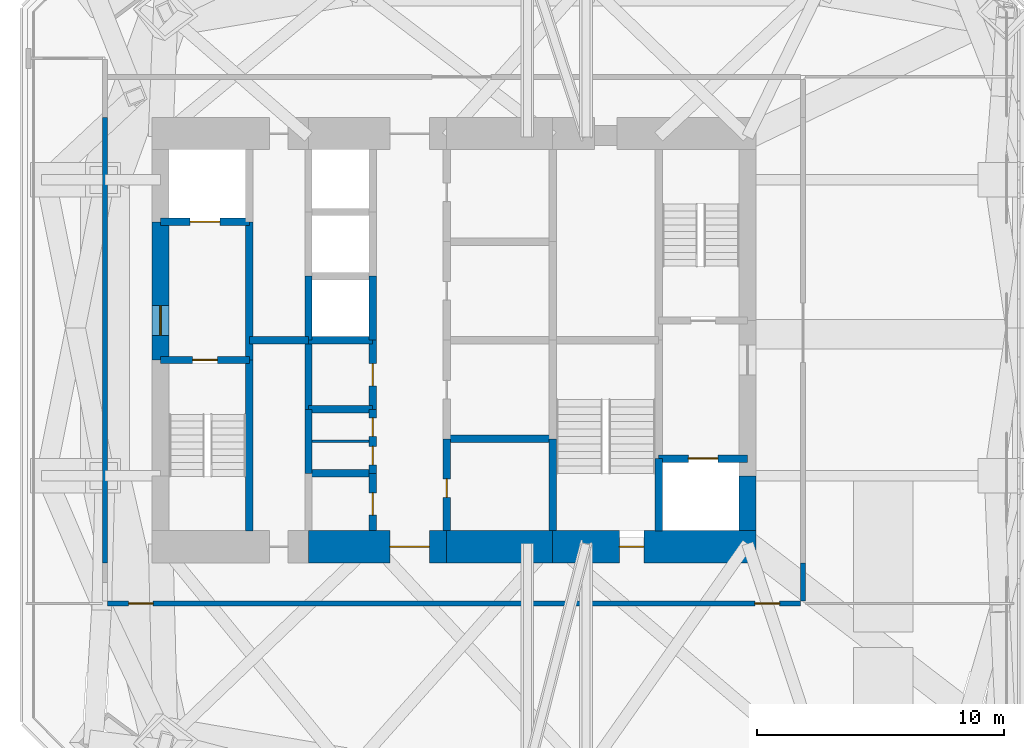
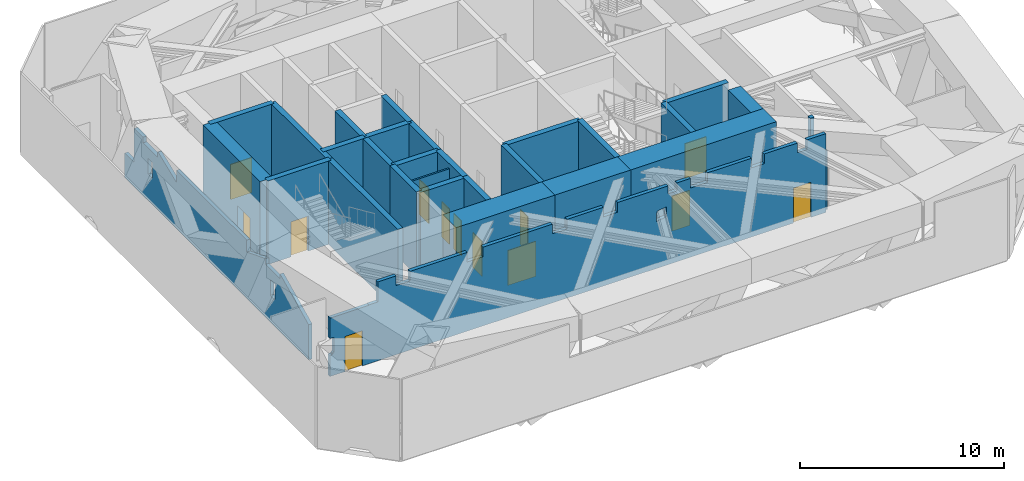
# One storey, part 4 of 9: 29 walls, 13 doors, 13 openings.
"""IFC4 building model written with IfcOpenShell, lengths in metres."""

from ifc_helpers import new_model, si_unit, direction, frame, frame_2d, origin, place, context, subcontext, project, spatial, polyline, rectangle, outline, extrude, material, layer, layer_set, constituent, constituent_set, type_object, element, fill, save


model = new_model("IFC4")

# Units and contexts
model_context = context("Model", 3, precision=1e-05, world=origin(), true_north=direction((0.0, 1.0)))
body_context = subcontext(model_context, "Body", "Model", "MODEL_VIEW")
ifc_project = project(units=[si_unit("LENGTHUNIT", "METRE"), si_unit("AREAUNIT", "SQUARE_METRE"), si_unit("VOLUMEUNIT", "CUBIC_METRE"), si_unit("PLANEANGLEUNIT", "RADIAN"), si_unit("MASSUNIT", "GRAM", prefix="KILO")], contexts=[model_context])

# Site, building, storey
site_placement = place(None, origin())
site = spatial("IfcSite", under=ifc_project, at=site_placement, CompositionType="ELEMENT")
building_placement = place(site_placement, origin())
building = spatial("IfcBuilding", under=site, at=building_placement, Name="Jalousie Tower", CompositionType="ELEMENT")
storey_placement = place(building_placement, frame((0.0, 0.0, 212.949951171875)))
storey = spatial("IfcBuildingStorey", under=building, at=storey_placement, Name="L58", CompositionType="ELEMENT", Elevation=212.949951171875)

# Wall, opening, door
ifc_material_1 = material(Name="Concrete f'c 120 MPa", Category="concrete")
ifc_layer_1 = layer(ifc_material_1, 1.300048828125)
ifc_layer_set_1 = layer_set([ifc_layer_1], Name="Concrete f'c 120 MPa")
wall_type_1 = type_object("IfcWallType", Name="CORE WALL 1300", PredefinedType="SHEAR", material=ifc_layer_set_1)
wall_1_placement = place(storey_placement, frame((26.0, 10.125, 0.0), z_axis=(0.0, 0.0, 1.0), x_axis=(1.0, 0.0, 0.0)))
wall_1 = element("IfcWall", 1, at=wall_1_placement, inside=storey, type_object=wall_type_1, Name="Core wall SB L58", PredefinedType="SHEAR", context=body_context, shape_type="SweptSolid", body=[
    extrude(rectangle(XDim=5.60009765625, YDim=1.300048828125, at=frame_2d((2.800048828125, 0.0))), origin(), (0.0, 0.0, 1.0), 5.0),
])
opening_1_placement = place(wall_1_placement, frame((3.300048828125, 0.0, 0.0)))
opening_1 = element("IfcOpeningElement", 2, at=opening_1_placement, cuts=wall_1, Name="Opening D15", PredefinedType="OPENING", context=body_context, shape_type="SweptSolid", body=[
    extrude(rectangle(XDim=1.60009765625, YDim=2.10009765625, at=frame_2d((0.800048828125, 1.050048828125))), frame((0.0, 0.659912109375, 0.0), z_axis=(0.0, -1.0, 0.0), x_axis=(1.0, 0.0, 0.0)), (0.0, 0.0, 1.0), 1.320068359375),
])
ifc_material_2 = material(Name="Steel fire door", Category="steel")
door_type_1 = type_object("IfcDoorType", Name="LIFT LOBBY DOOR 1600", OperationType="DOUBLE_DOOR_SINGLE_SWING", PredefinedType="DOOR", material=ifc_material_2)
door_1_placement = place(opening_1_placement, origin())
door_1 = element("IfcDoor", 3, at=door_1_placement, inside=storey, type_object=door_type_1, Name="Lift lobby south door", OperationType="DOUBLE_DOOR_SINGLE_SWING", OverallHeight=2.10009765625, OverallWidth=1.60009765625, PredefinedType="DOOR", context=body_context, shape_type="SweptSolid", body=[
    extrude(rectangle(XDim=1.60009765625, YDim=2.10009765625, at=frame_2d((0.800048828125, 1.050048828125))), frame((0.0, 0.02490234375, 0.0), z_axis=(0.0, -1.0, 0.0), x_axis=(1.0, 0.0, 0.0)), (0.0, 0.0, 1.0), 0.050048828125),
])
fill(opening_1, door_1)

# Wall
wall_2_placement = place(storey_placement, frame((31.60009765625, 10.125, 0.0), z_axis=(0.0, 0.0, 1.0), x_axis=(1.0, 0.0, 0.0)))
element("IfcWall", 4, at=wall_2_placement, inside=storey, type_object=wall_type_1, Name="Core wall SC L58", PredefinedType="SHEAR", context=body_context, shape_type="SweptSolid", body=[
    extrude(rectangle(XDim=4.2998046875, YDim=1.300048828125, at=frame_2d((2.14990234375, 0.0))), origin(), (0.0, 0.0, 1.0), 5.0),
])

# Wall, opening, door
wall_3_placement = place(storey_placement, frame((35.89990234375, 10.125, 0.0), z_axis=(0.0, 0.0, 1.0), x_axis=(1.0, 0.0, 0.0)))
wall_3 = element("IfcWall", 5, at=wall_3_placement, inside=storey, type_object=wall_type_1, Name="Core wall SD L58", PredefinedType="SHEAR", context=body_context, shape_type="SweptSolid", body=[
    extrude(rectangle(XDim=8.25, YDim=1.300048828125, at=frame_2d((4.125, 0.0))), origin(), (0.0, 0.0, 1.0), 5.0),
])
opening_2_placement = place(wall_3_placement, frame((2.699951171875, 0.0, 0.0)))
opening_2 = element("IfcOpeningElement", 6, at=opening_2_placement, cuts=wall_3, Name="Opening D10", PredefinedType="OPENING", context=body_context, shape_type="SweptSolid", body=[
    extrude(rectangle(XDim=1.0, YDim=2.10009765625, at=frame_2d((0.5, 1.050048828125))), frame((0.0, 0.659912109375, 0.0), z_axis=(0.0, -1.0, 0.0), x_axis=(1.0, 0.0, 0.0)), (0.0, 0.0, 1.0), 1.320068359375),
])
ifc_material_3 = material(Name="Steel fire door", Category="steel")
door_type_2 = type_object("IfcDoorType", Name="STAIR DOOR 1000", OperationType="SINGLE_SWING_LEFT", PredefinedType="DOOR", material=ifc_material_3)
door_2_placement = place(opening_2_placement, origin())
door_2 = element("IfcDoor", 7, at=door_2_placement, inside=storey, type_object=door_type_2, Name="Exit stair C door", OperationType="SINGLE_SWING_RIGHT", OverallHeight=2.10009765625, OverallWidth=1.0, PredefinedType="DOOR", context=body_context, shape_type="SweptSolid", body=[
    extrude(rectangle(XDim=1.0, YDim=2.10009765625, at=frame_2d((0.5, 1.050048828125))), frame((0.0, 0.02490234375, 0.0), z_axis=(0.0, -1.0, 0.0), x_axis=(1.0, 0.0, 0.0)), (0.0, 0.0, 1.0), 0.050048828125),
])
fill(opening_2, door_2)

# Walls
ifc_material_4 = material(Name="Concrete f'c 120 MPa", Category="concrete")
ifc_layer_2 = layer(ifc_material_4, 0.300048828125)
ifc_layer_set_2 = layer_set([ifc_layer_2], Name="Concrete f'c 120 MPa")
wall_type_2 = type_object("IfcWallType", Name="CORE WALL 300", PredefinedType="SHEAR", material=ifc_layer_set_2)
wall_4_placement = place(storey_placement, frame((23.60009765625, 10.77490234375, 0.0), z_axis=(0.0, 0.0, 1.0), x_axis=(0.0, 1.0, 0.0)))
element("IfcWall", 8, at=wall_4_placement, inside=storey, type_object=wall_type_2, Name="Core wall X23.6A L58", PredefinedType="SHEAR", context=body_context, shape_type="SweptSolid", body=[
    extrude(rectangle(XDim=6.925048828125, YDim=0.300048828125, at=frame_2d((3.46240234375, 0.0))), origin(), (0.0, 0.0, 1.0), 5.0),
])
wall_5_placement = place(storey_placement, frame((23.60009765625, 17.699951171875, 0.0), z_axis=(0.0, 0.0, 1.0), x_axis=(0.0, 1.0, 0.0)))
element("IfcWall", 9, at=wall_5_placement, inside=storey, type_object=wall_type_2, Name="Core wall X23.6B L58", PredefinedType="SHEAR", context=body_context, shape_type="SweptSolid", body=[
    extrude(rectangle(XDim=5.60009765625, YDim=0.300048828125, at=frame_2d((2.800048828125, 0.0))), origin(), (0.0, 0.0, 1.0), 5.0),
])
wall_6_placement = place(storey_placement, frame((26.0, 13.10009765625, 0.0), z_axis=(0.0, 0.0, 1.0), x_axis=(0.0, 1.0, 0.0)))
element("IfcWall", 10, at=wall_6_placement, inside=storey, type_object=wall_type_2, Name="Core wall X26B L58", PredefinedType="SHEAR", context=body_context, shape_type="SweptSolid", body=[
    extrude(rectangle(XDim=2.599853515625, YDim=0.300048828125, at=frame_2d((1.2998046875, 0.0))), origin(), (0.0, 0.0, 1.0), 5.0),
])
wall_7_placement = place(storey_placement, frame((26.0, 15.699951171875, 0.0), z_axis=(0.0, 0.0, 1.0), x_axis=(0.0, 1.0, 0.0)))
element("IfcWall", 11, at=wall_7_placement, inside=storey, type_object=wall_type_2, Name="Core wall X26C L58", PredefinedType="SHEAR", context=body_context, shape_type="SweptSolid", body=[
    extrude(rectangle(XDim=2.800048828125, YDim=0.300048828125, at=frame_2d((1.39990234375, 0.0))), origin(), (0.0, 0.0, 1.0), 5.0),
])
wall_8_placement = place(storey_placement, frame((26.0, 18.5, 0.0), z_axis=(0.0, 0.0, 1.0), x_axis=(0.0, 1.0, 0.0)))
element("IfcWall", 12, at=wall_8_placement, inside=storey, type_object=wall_type_2, Name="Core wall X26D L58", PredefinedType="SHEAR", context=body_context, shape_type="SweptSolid", body=[
    extrude(rectangle(XDim=2.60009765625, YDim=0.300048828125, at=frame_2d((1.300048828125, 0.0))), origin(), (0.0, 0.0, 1.0), 5.0),
])

# Wall, opening, door
wall_9_placement = place(storey_placement, frame((28.60009765625, 10.77490234375, 0.0), z_axis=(0.0, 0.0, 1.0), x_axis=(0.0, 1.0, 0.0)))
wall_9 = element("IfcWall", 13, at=wall_9_placement, inside=storey, type_object=wall_type_2, Name="Core wall X28.6A L58", PredefinedType="SHEAR", context=body_context, shape_type="SweptSolid", body=[
    extrude(rectangle(XDim=2.3251953125, YDim=0.300048828125, at=frame_2d((1.16259765625, 0.0))), origin(), (0.0, 0.0, 1.0), 5.0),
])
opening_3_placement = place(wall_9_placement, frame((0.637451171875, 0.0, 0.0)))
opening_3 = element("IfcOpeningElement", 14, at=opening_3_placement, cuts=wall_9, Name="Opening D24", PredefinedType="OPENING", context=body_context, shape_type="SweptSolid", body=[
    extrude(rectangle(XDim=0.89990234375, YDim=2.10009765625, at=frame_2d((0.449951171875, 1.050048828125))), frame((0.0, 0.159912109375, 0.0), z_axis=(0.0, -1.0, 0.0), x_axis=(1.0, 0.0, 0.0)), (0.0, 0.0, 1.0), 0.320068359375),
])
ifc_material_5 = material(Name="Steel fire door", Category="steel")
door_type_3 = type_object("IfcDoorType", Name="CORE ROOM DOOR 900", OperationType="SINGLE_SWING_LEFT", PredefinedType="DOOR", material=ifc_material_5)
door_3_placement = place(opening_3_placement, origin())
door_3 = element("IfcDoor", 15, at=door_3_placement, inside=storey, type_object=door_type_3, Name="Maintenance store door", OperationType="SINGLE_SWING_RIGHT", OverallHeight=2.10009765625, OverallWidth=0.89990234375, PredefinedType="DOOR", context=body_context, shape_type="SweptSolid", body=[
    extrude(rectangle(XDim=0.89990234375, YDim=2.10009765625, at=frame_2d((0.449951171875, 1.050048828125))), frame((0.0, 0.02490234375, 0.0), z_axis=(0.0, -1.0, 0.0), x_axis=(1.0, 0.0, 0.0)), (0.0, 0.0, 1.0), 0.050048828125),
])
fill(opening_3, door_3)

# Wall, openings, doors
wall_10_placement = place(storey_placement, frame((28.60009765625, 13.10009765625, 0.0), z_axis=(0.0, 0.0, 1.0), x_axis=(0.0, 1.0, 0.0)))
wall_10 = element("IfcWall", 16, at=wall_10_placement, inside=storey, type_object=wall_type_2, Name="Core wall X28.6B L58", PredefinedType="SHEAR", context=body_context, shape_type="SweptSolid", body=[
    extrude(rectangle(XDim=2.599853515625, YDim=0.300048828125, at=frame_2d((1.2998046875, 0.0))), origin(), (0.0, 0.0, 1.0), 5.0),
])
opening_4_placement = place(wall_10_placement, frame((0.35009765625, 0.0, 0.0)))
opening_4 = element("IfcOpeningElement", 17, at=opening_4_placement, cuts=wall_10, Name="Opening D27", PredefinedType="OPENING", context=body_context, shape_type="SweptSolid", body=[
    extrude(rectangle(XDim=0.75, YDim=2.10009765625, at=frame_2d((0.375, 1.050048828125))), frame((0.0, 0.159912109375, 0.0), z_axis=(0.0, -1.0, 0.0), x_axis=(1.0, 0.0, 0.0)), (0.0, 0.0, 1.0), 0.320068359375),
])
opening_5_placement = place(wall_10_placement, frame((1.5, 0.0, 0.0)))
opening_5 = element("IfcOpeningElement", 18, at=opening_5_placement, cuts=wall_10, Name="Opening D27", PredefinedType="OPENING", context=body_context, shape_type="SweptSolid", body=[
    extrude(rectangle(XDim=0.75, YDim=2.10009765625, at=frame_2d((0.375, 1.050048828125))), frame((0.0, 0.159912109375, 0.0), z_axis=(0.0, -1.0, 0.0), x_axis=(1.0, 0.0, 0.0)), (0.0, 0.0, 1.0), 0.320068359375),
])
ifc_material_6 = material(Name="Steel fire door", Category="steel")
door_type_4 = type_object("IfcDoorType", Name="CORE ROOM DOOR 750", OperationType="SINGLE_SWING_LEFT", PredefinedType="DOOR", material=ifc_material_6)
door_4_placement = place(opening_4_placement, origin())
door_4 = element("IfcDoor", 19, at=door_4_placement, inside=storey, type_object=door_type_4, Name="Plant spares store door", OperationType="SINGLE_SWING_RIGHT", OverallHeight=2.10009765625, OverallWidth=0.75, PredefinedType="DOOR", context=body_context, shape_type="SweptSolid", body=[
    extrude(rectangle(XDim=0.75, YDim=2.10009765625, at=frame_2d((0.375, 1.050048828125))), frame((0.0, 0.02490234375, 0.0), z_axis=(0.0, -1.0, 0.0), x_axis=(1.0, 0.0, 0.0)), (0.0, 0.0, 1.0), 0.050048828125),
])
fill(opening_4, door_4)
door_5_placement = place(opening_5_placement, origin())
door_5 = element("IfcDoor", 20, at=door_5_placement, inside=storey, type_object=door_type_4, Name="Store door", OperationType="SINGLE_SWING_LEFT", OverallHeight=2.10009765625, OverallWidth=0.75, PredefinedType="DOOR", context=body_context, shape_type="SweptSolid", body=[
    extrude(rectangle(XDim=0.75, YDim=2.10009765625, at=frame_2d((0.375, 1.050048828125))), frame((0.0, 0.02490234375, 0.0), z_axis=(0.0, -1.0, 0.0), x_axis=(1.0, 0.0, 0.0)), (0.0, 0.0, 1.0), 0.050048828125),
])
fill(opening_5, door_5)

# Wall, opening, door
wall_11_placement = place(storey_placement, frame((28.60009765625, 15.699951171875, 0.0), z_axis=(0.0, 0.0, 1.0), x_axis=(0.0, 1.0, 0.0)))
wall_11 = element("IfcWall", 21, at=wall_11_placement, inside=storey, type_object=wall_type_2, Name="Core wall X28.6C L58", PredefinedType="SHEAR", context=body_context, shape_type="SweptSolid", body=[
    extrude(rectangle(XDim=2.800048828125, YDim=0.300048828125, at=frame_2d((1.39990234375, 0.0))), origin(), (0.0, 0.0, 1.0), 5.0),
])
opening_6_placement = place(wall_11_placement, frame((0.949951171875, 0.0, 0.0)))
opening_6 = element("IfcOpeningElement", 22, at=opening_6_placement, cuts=wall_11, Name="Opening D24", PredefinedType="OPENING", context=body_context, shape_type="SweptSolid", body=[
    extrude(rectangle(XDim=0.89990234375, YDim=2.10009765625, at=frame_2d((0.449951171875, 1.050048828125))), frame((0.0, 0.159912109375, 0.0), z_axis=(0.0, -1.0, 0.0), x_axis=(1.0, 0.0, 0.0)), (0.0, 0.0, 1.0), 0.320068359375),
])
door_6_placement = place(opening_6_placement, origin())
door_6 = element("IfcDoor", 23, at=door_6_placement, inside=storey, type_object=door_type_3, Name="IT room door", OperationType="SINGLE_SWING_LEFT", OverallHeight=2.10009765625, OverallWidth=0.89990234375, PredefinedType="DOOR", context=body_context, shape_type="SweptSolid", body=[
    extrude(rectangle(XDim=0.89990234375, YDim=2.10009765625, at=frame_2d((0.449951171875, 1.050048828125))), frame((0.0, 0.02490234375, 0.0), z_axis=(0.0, -1.0, 0.0), x_axis=(1.0, 0.0, 0.0)), (0.0, 0.0, 1.0), 0.050048828125),
])
fill(opening_6, door_6)

# Wall
wall_12_placement = place(storey_placement, frame((28.60009765625, 18.5, 0.0), z_axis=(0.0, 0.0, 1.0), x_axis=(0.0, 1.0, 0.0)))
element("IfcWall", 24, at=wall_12_placement, inside=storey, type_object=wall_type_2, Name="Core wall X28.6D L58", PredefinedType="SHEAR", context=body_context, shape_type="SweptSolid", body=[
    extrude(rectangle(XDim=2.60009765625, YDim=0.300048828125, at=frame_2d((1.300048828125, 0.0))), origin(), (0.0, 0.0, 1.0), 5.0),
])

# Wall, opening, door
wall_13_placement = place(storey_placement, frame((31.60009765625, 10.77490234375, 0.0), z_axis=(0.0, 0.0, 1.0), x_axis=(0.0, 1.0, 0.0)))
wall_13 = element("IfcWall", 25, at=wall_13_placement, inside=storey, type_object=wall_type_2, Name="Core wall X31.6A L58", PredefinedType="SHEAR", context=body_context, shape_type="SweptSolid", body=[
    extrude(rectangle(XDim=3.72509765625, YDim=0.300048828125, at=frame_2d((1.862548828125, 0.0))), origin(), (0.0, 0.0, 1.0), 5.0),
])
opening_7_placement = place(wall_13_placement, frame((1.35009765625, 0.0, 0.0)))
opening_7 = element("IfcOpeningElement", 26, at=opening_7_placement, cuts=wall_13, Name="Opening D16", PredefinedType="OPENING", context=body_context, shape_type="SweptSolid", body=[
    extrude(rectangle(XDim=0.75, YDim=2.10009765625, at=frame_2d((0.375, 1.050048828125))), frame((0.0, 0.159912109375, 0.0), z_axis=(0.0, -1.0, 0.0), x_axis=(1.0, 0.0, 0.0)), (0.0, 0.0, 1.0), 0.320068359375),
])
ifc_material_7 = material(Name="Steel fire door", Category="steel")
door_type_5 = type_object("IfcDoorType", Name="RISER DOOR 750", OperationType="SINGLE_SWING_LEFT", PredefinedType="DOOR", material=ifc_material_7)
door_7_placement = place(opening_7_placement, frame((0.75, 0.0, 0.0), z_axis=(0.0, 0.0, 1.0), x_axis=(-1.0, 0.0, 0.0)))
door_7 = element("IfcDoor", 27, at=door_7_placement, inside=storey, type_object=door_type_5, Name="Refuse Room door", OperationType="SINGLE_SWING_RIGHT", OverallHeight=2.10009765625, OverallWidth=0.75, PredefinedType="DOOR", context=body_context, shape_type="SweptSolid", body=[
    extrude(rectangle(XDim=0.75, YDim=2.10009765625, at=frame_2d((0.375, 1.050048828125))), frame((0.0, 0.02490234375, 0.0), z_axis=(0.0, -1.0, 0.0), x_axis=(1.0, 0.0, 0.0)), (0.0, 0.0, 1.0), 0.050048828125),
])
fill(opening_7, door_7)

# Walls
wall_14_placement = place(storey_placement, frame((35.89990234375, 10.77490234375, 0.0), z_axis=(0.0, 0.0, 1.0), x_axis=(0.0, 1.0, 0.0)))
element("IfcWall", 28, at=wall_14_placement, inside=storey, type_object=wall_type_2, Name="Core wall X35.9A L58", PredefinedType="SHEAR", context=body_context, shape_type="SweptSolid", body=[
    extrude(rectangle(XDim=3.72509765625, YDim=0.300048828125, at=frame_2d((1.862548828125, 0.0))), origin(), (0.0, 0.0, 1.0), 5.0),
])
wall_15_placement = place(storey_placement, frame((40.199951171875, 10.77490234375, 0.0), z_axis=(0.0, 0.0, 1.0), x_axis=(0.0, 1.0, 0.0)))
element("IfcWall", 29, at=wall_15_placement, inside=storey, type_object=wall_type_2, Name="Core wall X40.2A L58", PredefinedType="SHEAR", context=body_context, shape_type="SweptSolid", body=[
    extrude(rectangle(XDim=2.925048828125, YDim=0.300048828125, at=frame_2d((1.46240234375, 0.0))), origin(), (0.0, 0.0, 1.0), 5.0),
])

# Wall, opening, door
wall_16_placement = place(storey_placement, frame((20.0, 17.699951171875, 0.0), z_axis=(0.0, 0.0, 1.0), x_axis=(1.0, 0.0, 0.0)))
wall_16 = element("IfcWall", 30, at=wall_16_placement, inside=storey, type_object=wall_type_2, Name="Core wall Y20-17.7 L58", PredefinedType="SHEAR", context=body_context, shape_type="SweptSolid", body=[
    extrude(rectangle(XDim=3.60009765625, YDim=0.300048828125, at=frame_2d((1.800048828125, 0.0))), origin(), (0.0, 0.0, 1.0), 5.0),
])
opening_8_placement = place(wall_16_placement, frame((1.300048828125, 0.0, 0.0)))
opening_8 = element("IfcOpeningElement", 31, at=opening_8_placement, cuts=wall_16, Name="Opening D10", PredefinedType="OPENING", context=body_context, shape_type="SweptSolid", body=[
    extrude(rectangle(XDim=1.0, YDim=2.10009765625, at=frame_2d((0.5, 1.050048828125))), frame((0.0, 0.159912109375, 0.0), z_axis=(0.0, -1.0, 0.0), x_axis=(1.0, 0.0, 0.0)), (0.0, 0.0, 1.0), 0.320068359375),
])
door_8_placement = place(opening_8_placement, frame((1.0, 0.0, 0.0), z_axis=(0.0, 0.0, 1.0), x_axis=(-1.0, 0.0, 0.0)))
door_8 = element("IfcDoor", 32, at=door_8_placement, inside=storey, type_object=door_type_2, Name="Exit stair A door", OperationType="SINGLE_SWING_RIGHT", OverallHeight=2.10009765625, OverallWidth=1.0, PredefinedType="DOOR", context=body_context, shape_type="SweptSolid", body=[
    extrude(rectangle(XDim=1.0, YDim=2.10009765625, at=frame_2d((0.5, 1.050048828125))), frame((0.0, 0.02490234375, 0.0), z_axis=(0.0, -1.0, 0.0), x_axis=(1.0, 0.0, 0.0)), (0.0, 0.0, 1.0), 0.050048828125),
])
fill(opening_8, door_8)

wall_17_placement = place(storey_placement, frame((20.0, 23.300048828125, 0.0), z_axis=(0.0, 0.0, 1.0), x_axis=(1.0, 0.0, 0.0)))
wall_17 = element("IfcWall", 33, at=wall_17_placement, inside=storey, type_object=wall_type_2, Name="Core wall Y20-23.3 L58", PredefinedType="SHEAR", context=body_context, shape_type="SweptSolid", body=[
    extrude(rectangle(XDim=3.60009765625, YDim=0.300048828125, at=frame_2d((1.800048828125, 0.0))), origin(), (0.0, 0.0, 1.0), 5.0),
])
opening_9_placement = place(wall_17_placement, frame((1.199951171875, 0.0, 0.0)))
opening_9 = element("IfcOpeningElement", 34, at=opening_9_placement, cuts=wall_17, Name="Opening LD2", PredefinedType="OPENING", context=body_context, shape_type="SweptSolid", body=[
    extrude(rectangle(XDim=1.199951171875, YDim=2.10009765625, at=frame_2d((0.60009765625, 1.050048828125))), frame((0.0, 0.159912109375, 0.0), z_axis=(0.0, -1.0, 0.0), x_axis=(1.0, 0.0, 0.0)), (0.0, 0.0, 1.0), 0.320068359375),
])
ifc_material_8 = material(Name="Steel lift landing door", Category="steel")
door_type_6 = type_object("IfcDoorType", Name="LIFT LANDING DOOR 1200", OperationType="SLIDING_TO_LEFT", PredefinedType="DOOR", material=ifc_material_8)
door_9_placement = place(opening_9_placement, origin())
door_9 = element("IfcDoor", 35, at=door_9_placement, inside=storey, type_object=door_type_6, Name="Lift F1 landing door", OperationType="SLIDING_TO_LEFT", OverallHeight=2.10009765625, OverallWidth=1.199951171875, PredefinedType="DOOR", context=body_context, shape_type="SweptSolid", body=[
    extrude(rectangle(XDim=1.199951171875, YDim=2.10009765625, at=frame_2d((0.60009765625, 1.050048828125))), frame((0.0, 0.02490234375, 0.0), z_axis=(0.0, -1.0, 0.0), x_axis=(1.0, 0.0, 0.0)), (0.0, 0.0, 1.0), 0.050048828125),
])
fill(opening_9, door_9)

# Walls
wall_18_placement = place(storey_placement, frame((23.60009765625, 18.5, 0.0), z_axis=(0.0, 0.0, 1.0), x_axis=(1.0, 0.0, 0.0)))
element("IfcWall", 36, at=wall_18_placement, inside=storey, type_object=wall_type_2, Name="Core wall Y23.6-18.5 L58", PredefinedType="SHEAR", context=body_context, shape_type="SweptSolid", body=[
    extrude(rectangle(XDim=2.39990234375, YDim=0.300048828125, at=frame_2d((1.199951171875, 0.0))), origin(), (0.0, 0.0, 1.0), 5.0),
])
for number, where, z_axis, x_axis, name in (
    (37, (26.0, 13.10009765625, 0.0), (0.0, 0.0, 1.0), (1.0, 0.0, 0.0), "Core wall Y26-13.1 L58"),
    (38, (26.0, 15.699951171875, 0.0), (0.0, 0.0, 1.0), (1.0, 0.0, 0.0), "Core wall Y26-15.7 L58"),
    (39, (26.0, 18.5, 0.0), (0.0, 0.0, 1.0), (1.0, 0.0, 0.0), "Core wall Y26-18.5 L58"),
):
    element("IfcWall", number, at=place(storey_placement, frame(where, z_axis=z_axis, x_axis=x_axis)), inside=storey, type_object=wall_type_2, Name=name, PredefinedType="SHEAR", context=body_context, shape_type="SweptSolid", body=[
        extrude(rectangle(XDim=2.60009765625, YDim=0.300048828125, at=frame_2d((1.300048828125, 0.0))), origin(), (0.0, 0.0, 1.0), 5.0),
    ])
wall_19_placement = place(storey_placement, frame((31.60009765625, 14.5, 0.0), z_axis=(0.0, 0.0, 1.0), x_axis=(1.0, 0.0, 0.0)))
element("IfcWall", 40, at=wall_19_placement, inside=storey, type_object=wall_type_2, Name="Core wall Y31.6-14.5 L58", PredefinedType="SHEAR", context=body_context, shape_type="SweptSolid", body=[
    extrude(rectangle(XDim=4.2998046875, YDim=0.300048828125, at=frame_2d((2.14990234375, 0.0))), origin(), (0.0, 0.0, 1.0), 5.0),
])

# Wall, opening, door
wall_20_placement = place(storey_placement, frame((40.199951171875, 13.699951171875, 0.0), z_axis=(0.0, 0.0, 1.0), x_axis=(1.0, 0.0, 0.0)))
wall_20 = element("IfcWall", 41, at=wall_20_placement, inside=storey, type_object=wall_type_2, Name="Core wall Y40.2-13.7 L58", PredefinedType="SHEAR", context=body_context, shape_type="SweptSolid", body=[
    extrude(rectangle(XDim=3.60009765625, YDim=0.300048828125, at=frame_2d((1.800048828125, 0.0))), origin(), (0.0, 0.0, 1.0), 5.0),
])
opening_10_placement = place(wall_20_placement, frame((1.199951171875, 0.0, 0.0)))
opening_10 = element("IfcOpeningElement", 42, at=opening_10_placement, cuts=wall_20, Name="Opening LD2", PredefinedType="OPENING", context=body_context, shape_type="SweptSolid", body=[
    extrude(rectangle(XDim=1.199951171875, YDim=2.10009765625, at=frame_2d((0.60009765625, 1.050048828125))), frame((0.0, 0.159912109375, 0.0), z_axis=(0.0, -1.0, 0.0), x_axis=(1.0, 0.0, 0.0)), (0.0, 0.0, 1.0), 0.320068359375),
])
door_10_placement = place(opening_10_placement, origin())
door_10 = element("IfcDoor", 43, at=door_10_placement, inside=storey, type_object=door_type_6, Name="Lift F2 landing door", OperationType="SLIDING_TO_LEFT", OverallHeight=2.10009765625, OverallWidth=1.199951171875, PredefinedType="DOOR", context=body_context, shape_type="SweptSolid", body=[
    extrude(rectangle(XDim=1.199951171875, YDim=2.10009765625, at=frame_2d((0.60009765625, 1.050048828125))), frame((0.0, 0.02490234375, 0.0), z_axis=(0.0, -1.0, 0.0), x_axis=(1.0, 0.0, 0.0)), (0.0, 0.0, 1.0), 0.050048828125),
])
fill(opening_10, door_10)

ifc_material_9 = material(Name="Concrete f'c 120 MPa", Category="concrete")
ifc_layer_3 = layer(ifc_material_9, 0.699951171875)
ifc_layer_set_3 = layer_set([ifc_layer_3], Name="Concrete f'c 120 MPa")
wall_type_3 = type_object("IfcWallType", Name="CORE WALL 700", PredefinedType="SHEAR", material=ifc_layer_set_3)
wall_21_placement = place(storey_placement, frame((20.0, 23.300048828125, 0.0), z_axis=(0.0, 0.0, 1.0), x_axis=(0.0, -1.0, 0.0)))
wall_21 = element("IfcWall", 44, at=wall_21_placement, inside=storey, type_object=wall_type_3, Name="Core wall WB L58", PredefinedType="SHEAR", context=body_context, shape_type="SweptSolid", body=[
    extrude(rectangle(XDim=5.60009765625, YDim=0.699951171875, at=frame_2d((2.800048828125, 0.0))), origin(), (0.0, 0.0, 1.0), 5.0),
])
opening_11_placement = place(wall_21_placement, frame((3.39990234375, 0.0, 0.0)))
opening_11 = element("IfcOpeningElement", 45, at=opening_11_placement, cuts=wall_21, Name="Opening D11", PredefinedType="OPENING", context=body_context, shape_type="SweptSolid", body=[
    extrude(rectangle(XDim=1.199951171875, YDim=2.199951171875, at=frame_2d((0.60009765625, 1.10009765625))), frame((0.0, 0.35986328125, 0.0), z_axis=(0.0, -1.0, 0.0), x_axis=(1.0, 0.0, 0.0)), (0.0, 0.0, 1.0), 0.719970703125),
])
ifc_material_10 = material(Name="Steel fire door", Category="steel")
door_type_7 = type_object("IfcDoorType", Name="FIRE DOOR 1200", OperationType="SINGLE_SWING_LEFT", PredefinedType="DOOR", material=ifc_material_10)
door_11_placement = place(opening_11_placement, origin())
door_11 = element("IfcDoor", 46, at=door_11_placement, inside=storey, type_object=door_type_7, Name="Fire-fighting lobby A door", OperationType="SINGLE_SWING_RIGHT", OverallHeight=2.199951171875, OverallWidth=1.199951171875, PredefinedType="DOOR", context=body_context, shape_type="SweptSolid", body=[
    extrude(rectangle(XDim=1.199951171875, YDim=2.199951171875, at=frame_2d((0.60009765625, 1.10009765625))), frame((0.0, 0.02490234375, 0.0), z_axis=(0.0, -1.0, 0.0), x_axis=(1.0, 0.0, 0.0)), (0.0, 0.0, 1.0), 0.050048828125),
])
fill(opening_11, door_11)

# Wall
wall_22_placement = place(storey_placement, frame((43.800048828125, 10.77490234375, 0.0), z_axis=(0.0, 0.0, 1.0), x_axis=(0.0, 1.0, 0.0)))
element("IfcWall", 47, at=wall_22_placement, inside=storey, type_object=wall_type_3, Name="Core wall EA L58", PredefinedType="SHEAR", context=body_context, shape_type="SweptSolid", body=[
    extrude(rectangle(XDim=2.22509765625, YDim=0.699951171875, at=frame_2d((1.112548828125, 0.0))), origin(), (0.0, 0.0, 1.0), 5.0),
])

# Wall, openings, doors
ifc_material_11 = material(Name="Concrete block ASTM C90", Category="concrete")
ifc_constituent_1 = constituent(ifc_material_11, Name="Body")
ifc_material_12 = material(Name="Render")
ifc_constituent_2 = constituent(ifc_material_12, Name="Finish")
ifc_constituent_set_1 = constituent_set(constituents=[ifc_constituent_1, ifc_constituent_2])
wall_type_4 = type_object("IfcWallType", Name="CORRIDOR WALL 200", PredefinedType="PARTITIONING", material=ifc_constituent_set_1)
wall_23_placement = place(storey_placement, frame((17.85009765625, 7.824951171875, 0.0), z_axis=(0.0, 0.0, 1.0), x_axis=(1.0, 0.0, 0.0)))
wall_23 = element("IfcWall", 48, at=wall_23_placement, inside=storey, type_object=wall_type_4, Name="Corridor Wall 200 L58", PredefinedType="PARTITIONING", context=body_context, shape_type="SweptSolid", body=[
    extrude(outline(polyline([(0.1220703125, 1.271240234375), (0.0, 1.25048828125), (0.0, 0.0), (28.10009765625, 0.0), (28.10009765625, 4.719970703125), (27.03369140625, 4.719970703125), (27.03369140625, 4.140869140625), (26.469970703125, 4.140869140625), (26.469970703125, 4.719970703125), (24.601318359375, 4.719970703125), (24.601318359375, 4.140869140625), (23.8828125, 4.140869140625), (23.8828125, 4.719970703125), (21.39501953125, 4.719970703125), (21.39501953125, 4.140869140625), (20.428466796875, 4.140869140625), (20.428466796875, 4.719970703125), (19.656494140625, 4.719970703125), (19.656494140625, 4.2451171875), (19.1435546875, 4.2451171875), (19.1435546875, 4.719970703125), (16.29736328125, 4.719970703125), (16.29736328125, 4.140869140625), (15.487060546875, 4.140869140625), (15.487060546875, 4.719970703125), (13.421142578125, 4.719970703125), (13.421142578125, 4.140869140625), (12.58984375, 4.140869140625), (12.58984375, 4.719970703125), (8.665283203125, 4.719970703125), (8.665283203125, 4.140869140625), (7.773681640625, 4.140869140625), (7.773681640625, 4.719970703125), (4.525634765625, 4.719970703125), (4.525634765625, 4.140869140625), (3.750732421875, 4.140869140625), (3.750732421875, 4.719970703125), (2.715087890625, 4.719970703125), (2.715087890625, 3.52001953125), (2.216552734375, 3.52001953125), (2.216552734375, 3.5), (0.0, 3.5), (0.0, 2.282958984375), (0.179443359375, 2.282958984375), (0.179443359375, 2.258056640625), (0.2197265625, 2.258056640625), (0.2197265625, 1.376708984375), (0.205322265625, 1.362548828125), (0.17919921875, 1.333984375), (0.173583984375, 1.29150390625), (0.1396484375, 1.29052734375), (0.1220703125, 1.271240234375)]), holes=[polyline([(18.5, 3.315673828125), (18.554443359375, 3.43017578125), (19.061279296875, 3.49560546875), (19.061279296875, 3.003662109375), (19.007080078125, 2.88916015625), (18.5, 2.82373046875), (18.5, 3.315673828125)])]), frame((0.0, 0.10009765625, 0.0), z_axis=(0.0, -1.0, 0.0), x_axis=(1.0, 0.0, 0.0)), (0.0, 0.0, 1.0), 0.199951171875),
])
opening_12_placement = place(wall_23_placement, frame((0.85009765625, 0.0, 0.0)))
opening_12 = element("IfcOpeningElement", 49, at=opening_12_placement, cuts=wall_23, Name="Opening D21", PredefinedType="OPENING", context=body_context, shape_type="SweptSolid", body=[
    extrude(rectangle(XDim=1.0, YDim=2.10009765625, at=frame_2d((0.5, 1.050048828125))), frame((0.0, 0.10986328125, 0.0), z_axis=(0.0, -1.0, 0.0), x_axis=(1.0, 0.0, 0.0)), (0.0, 0.0, 1.0), 0.219970703125),
])
opening_13_placement = place(wall_23_placement, frame((26.25, 0.0, 0.0)))
opening_13 = element("IfcOpeningElement", 50, at=opening_13_placement, cuts=wall_23, Name="Opening D21", PredefinedType="OPENING", context=body_context, shape_type="SweptSolid", body=[
    extrude(rectangle(XDim=1.0, YDim=2.10009765625, at=frame_2d((0.5, 1.050048828125))), frame((0.0, 0.10986328125, 0.0), z_axis=(0.0, -1.0, 0.0), x_axis=(1.0, 0.0, 0.0)), (0.0, 0.0, 1.0), 0.219970703125),
])
ifc_material_13 = material(Name="Timber fire door", Category="wood")
door_type_8 = type_object("IfcDoorType", Name="CORRIDOR DOOR 1000", OperationType="SINGLE_SWING_LEFT", PredefinedType="DOOR", material=ifc_material_13)
door_12_placement = place(opening_12_placement, frame((1.0, 0.0, 0.0), z_axis=(0.0, 0.0, 1.0), x_axis=(-1.0, 0.0, 0.0)))
door_12 = element("IfcDoor", 51, at=door_12_placement, inside=storey, type_object=door_type_8, Name="Refuge area door", OperationType="SINGLE_SWING_RIGHT", OverallHeight=2.10009765625, OverallWidth=1.0, PredefinedType="DOOR", context=body_context, shape_type="SweptSolid", body=[
    extrude(rectangle(XDim=1.0, YDim=2.10009765625, at=frame_2d((0.5, 1.050048828125))), frame((0.0, 0.02490234375, 0.0), z_axis=(0.0, -1.0, 0.0), x_axis=(1.0, 0.0, 0.0)), (0.0, 0.0, 1.0), 0.050048828125),
])
fill(opening_12, door_12)
door_13_placement = place(opening_13_placement, frame((1.0, 0.0, 0.0), z_axis=(0.0, 0.0, 1.0), x_axis=(-1.0, 0.0, 0.0)))
door_13 = element("IfcDoor", 52, at=door_13_placement, inside=storey, type_object=door_type_8, Name="Refuge area second door", OperationType="SINGLE_SWING_LEFT", OverallHeight=2.10009765625, OverallWidth=1.0, PredefinedType="DOOR", context=body_context, shape_type="SweptSolid", body=[
    extrude(rectangle(XDim=1.0, YDim=2.10009765625, at=frame_2d((0.5, 1.050048828125))), frame((0.0, 0.02490234375, 0.0), z_axis=(0.0, -1.0, 0.0), x_axis=(1.0, 0.0, 0.0)), (0.0, 0.0, 1.0), 0.050048828125),
])
fill(opening_13, door_13)

# Walls
wall_24_placement = place(storey_placement, frame((46.050048828125, 7.925048828125, 0.0), z_axis=(0.0, 0.0, 1.0), x_axis=(0.0, 1.0, 0.0)))
element("IfcWall", 53, at=wall_24_placement, inside=storey, type_object=wall_type_4, Name="Corridor Wall 200 L58", PredefinedType="PARTITIONING", context=body_context, shape_type="SweptSolid", body=[
    extrude(outline(polyline([(0.0, 0.0), (1.550048828125, 0.0), (1.550048828125, 4.719970703125), (1.306884765625, 4.719970703125), (1.306884765625, 3.52001953125), (0.0, 3.52001953125), (0.0, 0.0)])), frame((0.0, 0.10009765625, 0.0), z_axis=(0.0, -1.0, 0.0), x_axis=(1.0, 0.0, 0.0)), (0.0, 0.0, 1.0), 0.199951171875),
])
wall_25_placement = place(storey_placement, frame((17.75, 9.47509765625, 0.0), z_axis=(0.0, 0.0, 1.0), x_axis=(0.0, 1.0, 0.0)))
element("IfcWall", 54, at=wall_25_placement, inside=storey, type_object=wall_type_4, Name="Corridor Wall 200 L58", PredefinedType="PARTITIONING", context=body_context, shape_type="SweptSolid", body=[
    extrude(outline(polyline([(2.81494140625, 3.455322265625), (0.0, 2.11083984375), (0.0, 0.0), (18.050048828125, 0.0), (18.050048828125, 1.456298828125), (17.119873046875, 1.456298828125), (17.119873046875, 3.5), (16.235107421875, 3.5), (16.235107421875, 3.1640625), (14.81494140625, 3.1640625), (14.81494140625, 3.5), (14.7783203125, 3.5), (12.975341796875, 2.777587890625), (12.975341796875, 3.5), (6.07470703125, 3.5), (6.07470703125, 2.777587890625), (4.271484375, 3.5), (4.235107421875, 3.5), (4.235107421875, 3.1640625), (2.81494140625, 3.1640625), (2.81494140625, 3.455322265625)]), holes=[polyline([(3.302978515625, 2.529541015625), (3.7470703125, 2.529541015625), (3.7470703125, 1.596923828125), (3.302978515625, 1.596923828125), (3.302978515625, 2.529541015625)]), polyline([(15.302978515625, 2.529541015625), (15.7470703125, 2.529541015625), (15.7470703125, 1.596923828125), (15.302978515625, 1.596923828125), (15.302978515625, 2.529541015625)])]), frame((0.0, 0.10009765625, 0.0), z_axis=(0.0, -1.0, 0.0), x_axis=(1.0, 0.0, 0.0)), (0.0, 0.0, 1.0), 0.199951171875),
])
ifc_material_14 = material(Name="Gypsum board", Category="gypsum")
ifc_constituent_3 = constituent(ifc_material_14, Name="Body")
ifc_material_15 = material(Name="Light-gauge steel studs ASTM A653 SS Grade 33", Category="steel")
ifc_constituent_4 = constituent(ifc_material_15, Name="Framing")
ifc_constituent_set_2 = constituent_set(constituents=[ifc_constituent_3, ifc_constituent_4])
wall_type_5 = type_object("IfcWallType", Name="PARTITION 100", PredefinedType="PARTITIONING", material=ifc_constituent_set_2)
wall_26_placement = place(storey_placement, frame((26.14990234375, 14.39990234375, 0.0), z_axis=(0.0, 0.0, 1.0), x_axis=(1.0, 0.0, 0.0)))
element("IfcWall", 55, at=wall_26_placement, inside=storey, type_object=wall_type_5, Name="Partition 100 L58", PredefinedType="PARTITIONING", context=body_context, shape_type="SweptSolid", body=[
    extrude(rectangle(XDim=2.300048828125, YDim=0.10009765625, at=frame_2d((1.14990234375, 0.0))), origin(), (0.0, 0.0, 1.0), 4.719970703125),
])

save(model, "model.ifc")
